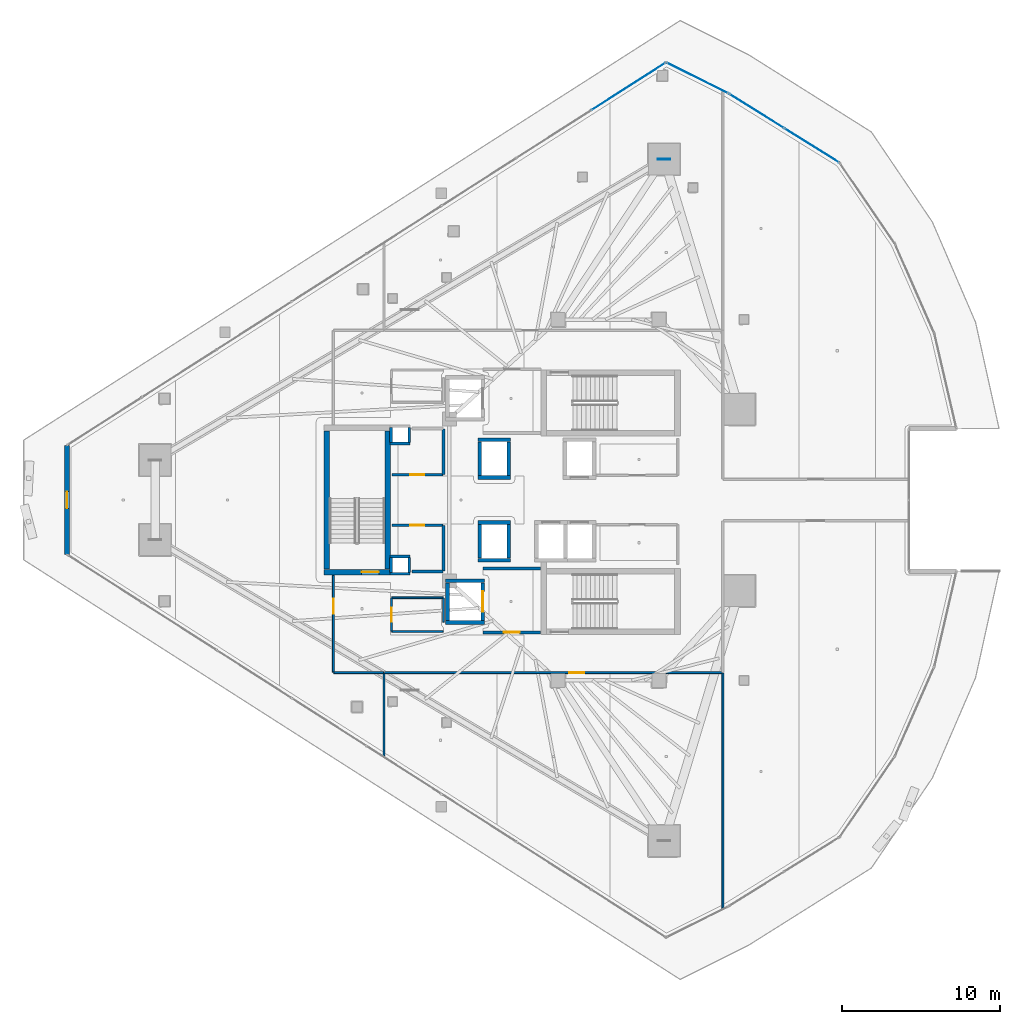
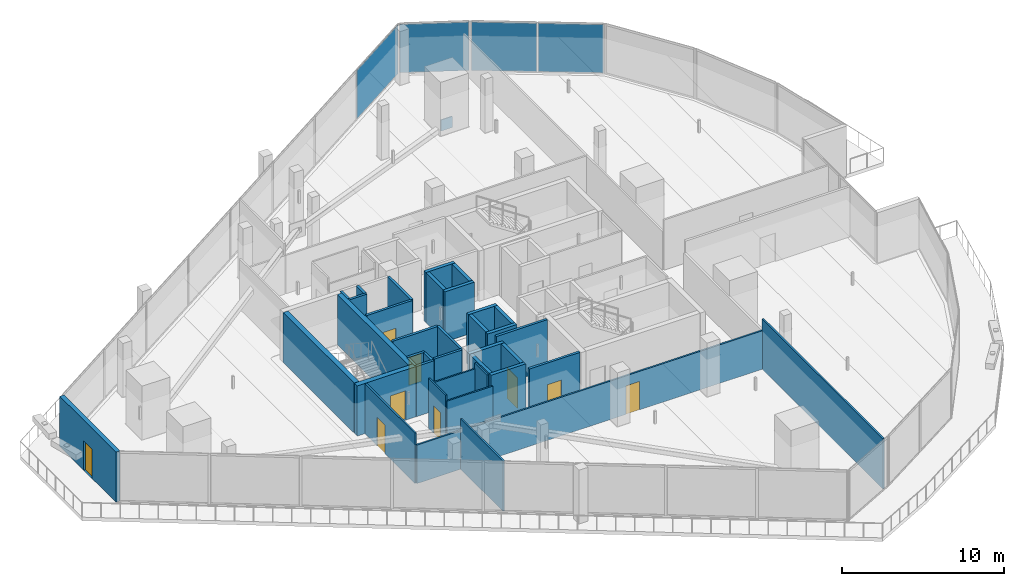
# One storey, part 27 of 39: 39 walls, 9 doors, 5 plates, 9 openings, 3 elements without a shape of their own.
"""IFC4 building model written with IfcOpenShell, lengths in metres."""

from ifc_helpers import new_model, si_unit, direction, frame, frame_2d, origin, origin_2d, place, context, subcontext, project, spatial, rectangle, extrude, material, layer, layer_set, type_object, element, fill, aggregate, save


model = new_model("IFC4")

# Units and contexts
model_context = context("Model", 3, precision=1e-05, world=origin(), true_north=direction((0.0, 1.0)))
body_context = subcontext(model_context, "Body", "Model", "MODEL_VIEW")
ifc_project = project(units=[si_unit("LENGTHUNIT", "METRE"), si_unit("AREAUNIT", "SQUARE_METRE"), si_unit("VOLUMEUNIT", "CUBIC_METRE"), si_unit("PLANEANGLEUNIT", "RADIAN"), si_unit("MASSUNIT", "GRAM", prefix="KILO")], contexts=[model_context])

# Site, building, storey
site_placement = place(None, origin())
site = spatial("IfcSite", under=ifc_project, at=site_placement, CompositionType="ELEMENT")
building_placement = place(site_placement, origin())
building = spatial("IfcBuilding", under=site, at=building_placement, Name="Qorvath Tower", CompositionType="ELEMENT")
storey_placement = place(building_placement, frame((0.0, 0.0, 201.0)))
storey = spatial("IfcBuildingStorey", under=building, at=storey_placement, Name="L46", CompositionType="ELEMENT", Elevation=201.0)

# Curtain wall, plates
ifc_material_1 = material(Name="Anodised aluminium and triple low-E glass", Category="aluminium")
ifc_layer_1 = layer(ifc_material_1, 0.179931640625)
ifc_layer_set_1 = layer_set([ifc_layer_1], Name="CW-SYS-3")
curtain_wall_type = type_object("IfcCurtainWallType", Name="CW-SYS-3", PredefinedType="NOTDEFINED", material=ifc_layer_set_1)
curtain_wall_1_placement = place(storey_placement, origin())
curtain_wall_1 = element("IfcCurtainWall", 1, at=curtain_wall_1_placement, inside=storey, type_object=curtain_wall_type, Name="Curtain Wall CW-3 CW-T-L46-14.1", PredefinedType="NOTDEFINED")
ifc_material_2 = material(Name="Low-E triple insulated glass", Category="glass")
ifc_layer_2 = layer(ifc_material_2, 0.031982421875)
ifc_layer_set_2 = layer_set([ifc_layer_2], Name="CWP-GLZ-32")
plate_type_1 = type_object("IfcPlateType", Name="CWP-GLZ-32", PredefinedType="CURTAIN_PANEL", material=ifc_layer_set_2)
plate_1_placement = place(storey_placement, frame((-7.506103515625, 22.500732421875, 0.06494140625), z_axis=(0.0, 0.0, 1.0), x_axis=(-0.848493264618, 0.529206179006, 0.0)))
plate_1 = element("IfcPlate", 2, at=plate_1_placement, type_object=plate_type_1, Name="CW-3 panel 1.1", PredefinedType="CURTAIN_PANEL", context=body_context, shape_type="SweptSolid", body=[
    extrude(rectangle(XDim=4.0537109375, YDim=0.031982421875, at=origin_2d()), origin(), (0.0, 0.0, 1.0), 3.64990234375),
])
plate_2_placement = place(storey_placement, frame((-11.000732421875, 24.680419921875, 0.06494140625), z_axis=(0.0, 0.0, 1.0), x_axis=(-0.848493264618, 0.529206179006, 0.0)))
plate_2 = element("IfcPlate", 3, at=plate_2_placement, type_object=plate_type_1, Name="CW-3 panel 2.1", PredefinedType="CURTAIN_PANEL", context=body_context, shape_type="SweptSolid", body=[
    extrude(rectangle(XDim=4.0537109375, YDim=0.031982421875, at=origin_2d()), origin(), (0.0, 0.0, 1.0), 3.64990234375),
])
aggregate(curtain_wall_1, [plate_1, plate_2])

# Curtain wall, plate
curtain_wall_2_placement = place(storey_placement, origin())
curtain_wall_2 = element("IfcCurtainWall", 4, at=curtain_wall_2_placement, inside=storey, type_object=curtain_wall_type, Name="Curtain Wall CW-3 CW-T-L46-15.1", PredefinedType="NOTDEFINED")
plate_3_placement = place(storey_placement, frame((-14.75927734375, 26.779296875, 0.06494140625), z_axis=(0.0, 0.0, 1.0), x_axis=(-0.894431699973, 0.44720457744, 0.0)))
plate_3 = element("IfcPlate", 5, at=plate_3_placement, type_object=plate_type_1, Name="CW-3 panel 1.1", PredefinedType="CURTAIN_PANEL", context=body_context, shape_type="SweptSolid", body=[
    extrude(rectangle(XDim=4.3056640625, YDim=0.031982421875, at=origin_2d()), origin(), (0.0, 0.0, 1.0), 3.64990234375),
])
aggregate(curtain_wall_2, [plate_3])

curtain_wall_3_placement = place(storey_placement, origin())
curtain_wall_3 = element("IfcCurtainWall", 6, at=curtain_wall_3_placement, inside=storey, type_object=curtain_wall_type, Name="Curtain Wall CW-3 CW-T-L46-16.1", PredefinedType="NOTDEFINED")
plate_4_placement = place(storey_placement, frame((-19.1328125, 26.243408203125, 0.06494140625), z_axis=(0.0, 0.0, 1.0), x_axis=(-0.842604020948, -0.538533623725, 0.0)))
plate_4 = element("IfcPlate", 7, at=plate_4_placement, type_object=plate_type_1, Name="CW-3 panel 1.1", PredefinedType="CURTAIN_PANEL", context=body_context, shape_type="SweptSolid", body=[
    extrude(rectangle(XDim=5.542724609375, YDim=0.031982421875, at=origin_2d()), origin(), (0.0, 0.0, 1.0), 3.64990234375),
])
aggregate(curtain_wall_3, [plate_4])

# Plate
ifc_material_3 = material(Name="Steel ASTM A572 Grade 50", Category="steel")
ifc_layer_3 = layer(ifc_material_3, 0.054931640625)
ifc_layer_set_3 = layer_set([ifc_layer_3], Name="PL-MBN1")
plate_type_2 = type_object("IfcPlateType", Name="PL-MBN1", PredefinedType="USERDEFINED", material=ifc_layer_set_3)
plate_5_placement = place(storey_placement, frame((-16.87158203125, 21.627197265625, -0.425048828125), z_axis=(0.0, 0.0, 1.0), x_axis=(1.0, 0.0, 0.0)))
element("IfcPlate", 8, at=plate_5_placement, inside=storey, type_object=plate_type_2, Name="Brace Strut End Gusset Plate NDBG-101", ObjectType="GUSSET", PredefinedType="USERDEFINED", context=body_context, shape_type="SweptSolid", body=[
    extrude(rectangle(XDim=0.800048828125, YDim=0.054931640625, at=origin_2d()), origin(), (0.0, 0.0, 1.0), 0.85009765625),
])

# Walls
ifc_material_4 = material(Name="Gypsum shaftliner on steel studs", Category="steel")
ifc_layer_4 = layer(ifc_material_4, 0.179931640625)
ifc_layer_set_4 = layer_set([ifc_layer_4], Name="FW-LOBBY")
wall_type_1 = type_object("IfcWallType", Name="FW-LOBBY", PredefinedType="PARTITIONING", material=ifc_layer_set_4)
wall_1_placement = place(storey_placement, frame((-32.989990234375, 3.594970703125, 0.0), z_axis=(0.0, 0.0, 1.0), x_axis=(-1.0, 0.0, 0.0)))
element("IfcWall", 9, at=wall_1_placement, inside=storey, type_object=wall_type_1, Name="MEP Riser Shaft Enclosure Wall N-L46-S", PredefinedType="PARTITIONING", context=body_context, shape_type="SweptSolid", body=[
    extrude(rectangle(XDim=1.27001953125, YDim=0.179931640625, at=frame_2d((0.635009765625, 0.0))), origin(), (0.0, 0.0, 1.0), 3.780029296875),
])
for number, where, z_axis, x_axis, name in (
    (10, (-34.205078125, 3.659912109375, 0.0), (0.0, 0.0, 1.0), (0.0, 1.0, 0.0), "MEP Riser Shaft Enclosure Wall N-L46-W"),
    (11, (-33.044921875, 4.610107421875, 0.0), (0.0, 0.0, 1.0), (0.0, -1.0, 0.0), "MEP Riser Shaft Enclosure Wall N-L46-E"),
):
    element("IfcWall", number, at=place(storey_placement, frame(where, z_axis=z_axis, x_axis=x_axis)), inside=storey, type_object=wall_type_1, Name=name, PredefinedType="PARTITIONING", context=body_context, shape_type="SweptSolid", body=[
        extrude(rectangle(XDim=0.9501953125, YDim=0.179931640625, at=frame_2d((0.47509765625, 0.0))), origin(), (0.0, 0.0, 1.0), 3.780029296875),
    ])
for number, where, z_axis, x_axis, name in (
    (12, (-32.989990234375, -4.675048828125, 0.0), (0.0, 0.0, 1.0), (-1.0, 0.0, 0.0), "MEP Riser Shaft Enclosure Wall S-L46-S"),
    (13, (-34.260009765625, -3.594970703125, 0.0), (0.0, 0.0, 1.0), (1.0, 0.0, 0.0), "MEP Riser Shaft Enclosure Wall S-L46-N"),
):
    element("IfcWall", number, at=place(storey_placement, frame(where, z_axis=z_axis, x_axis=x_axis)), inside=storey, type_object=wall_type_1, Name=name, PredefinedType="PARTITIONING", context=body_context, shape_type="SweptSolid", body=[
        extrude(rectangle(XDim=1.27001953125, YDim=0.179931640625, at=frame_2d((0.635009765625, 0.0))), origin(), (0.0, 0.0, 1.0), 3.780029296875),
    ])
for number, where, z_axis, x_axis, name in (
    (14, (-34.205078125, -4.610107421875, 0.0), (0.0, 0.0, 1.0), (0.0, 1.0, 0.0), "MEP Riser Shaft Enclosure Wall S-L46-W"),
    (15, (-33.044921875, -3.659912109375, 0.0), (0.0, 0.0, 1.0), (0.0, -1.0, 0.0), "MEP Riser Shaft Enclosure Wall S-L46-E"),
):
    element("IfcWall", number, at=place(storey_placement, frame(where, z_axis=z_axis, x_axis=x_axis)), inside=storey, type_object=wall_type_1, Name=name, PredefinedType="PARTITIONING", context=body_context, shape_type="SweptSolid", body=[
        extrude(rectangle(XDim=0.9501953125, YDim=0.179931640625, at=frame_2d((0.47509765625, 0.0))), origin(), (0.0, 0.0, 1.0), 3.780029296875),
    ])

# Wall, opening, door
wall_2_placement = place(storey_placement, frame((-28.35498046875, -8.39990234375, 0.0), z_axis=(0.0, 0.0, 1.0), x_axis=(1.0, 0.0, 0.0)))
wall_2 = element("IfcWall", 16, at=wall_2_placement, inside=storey, type_object=wall_type_1, Name="Interior Partition IW-T1-L46-003", PredefinedType="PARTITIONING", context=body_context, shape_type="SweptSolid", body=[
    extrude(rectangle(XDim=3.6220703125, YDim=0.179931640625, at=frame_2d((1.81103515625, 0.0))), origin(), (0.0, 0.0, 1.0), 3.780029296875),
])
opening_1_placement = place(wall_2_placement, frame((1.31103515625, 0.0, 0.0)))
opening_1 = element("IfcOpeningElement", 17, at=opening_1_placement, cuts=wall_2, Name="Opening D-T1-L46-13", PredefinedType="OPENING", context=body_context, shape_type="SweptSolid", body=[
    extrude(rectangle(XDim=1.0, YDim=2.14990234375, at=frame_2d((0.5, 1.074951171875))), frame((0.0, 0.10009765625, 0.0), z_axis=(0.0, -1.0, 0.0), x_axis=(1.0, 0.0, 0.0)), (0.0, 0.0, 1.0), 0.199951171875),
])
ifc_material_5 = material(Name="Painted galvanised hollow metal", Category="steel")
door_type_1 = type_object("IfcDoorType", Name="FD-60", OperationType="NOTDEFINED", PredefinedType="DOOR", material=ifc_material_5)
door_1_placement = place(opening_1_placement, origin())
door_1 = element("IfcDoor", 18, at=door_1_placement, inside=storey, type_object=door_type_1, Name="Lobby Fire Service Elevator South Door D-T1-L46-13", OperationType="SINGLE_SWING_RIGHT", OverallHeight=2.14990234375, OverallWidth=1.0, PredefinedType="DOOR", context=body_context, shape_type="SweptSolid", body=[
    extrude(rectangle(XDim=1.0, YDim=2.14990234375, at=frame_2d((0.5, 1.074951171875))), frame((0.0, 0.02490234375, 0.0), z_axis=(0.0, -1.0, 0.0), x_axis=(1.0, 0.0, 0.0)), (0.0, 0.0, 1.0), 0.050048828125),
])
fill(opening_1, door_1)

# Wall
wall_3_placement = place(storey_placement, frame((-24.73291015625, -4.35009765625, 0.0), z_axis=(0.0, 0.0, 1.0), x_axis=(-1.0, 0.0, 0.0)))
element("IfcWall", 19, at=wall_3_placement, inside=storey, type_object=wall_type_1, Name="Interior Partition IW-T1-L46-004", PredefinedType="PARTITIONING", context=body_context, shape_type="SweptSolid", body=[
    extrude(rectangle(XDim=3.6220703125, YDim=0.179931640625, at=frame_2d((1.81103515625, 0.0))), origin(), (0.0, 0.0, 1.0), 3.780029296875),
])

# Wall, opening, door
wall_4_placement = place(storey_placement, frame((-34.15478515625, 1.60009765625, 0.0), z_axis=(0.0, 0.0, 1.0), x_axis=(1.0, 0.0, 0.0)))
wall_4 = element("IfcWall", 20, at=wall_4_placement, inside=storey, type_object=wall_type_1, Name="Interior Partition IW-T1-L46-017", PredefinedType="PARTITIONING", context=body_context, shape_type="SweptSolid", body=[
    extrude(rectangle(XDim=3.25, YDim=0.179931640625, at=frame_2d((1.625, 0.0))), origin(), (0.0, 0.0, 1.0), 3.780029296875),
])
opening_2_placement = place(wall_4_placement, frame((1.18505859375, 0.0, 0.0)))
opening_2 = element("IfcOpeningElement", 21, at=opening_2_placement, cuts=wall_4, Name="Opening D-T1-L46-05", PredefinedType="OPENING", context=body_context, shape_type="SweptSolid", body=[
    extrude(rectangle(XDim=0.8798828125, YDim=2.10009765625, at=frame_2d((0.43994140625, 1.050048828125))), frame((0.0, 0.10009765625, 0.0), z_axis=(0.0, -1.0, 0.0), x_axis=(1.0, 0.0, 0.0)), (0.0, 0.0, 1.0), 0.199951171875),
])
ifc_material_6 = material(Name="Painted galvanised hollow metal", Category="steel")
door_type_2 = type_object("IfcDoorType", Name="FD-60N", OperationType="NOTDEFINED", PredefinedType="DOOR", material=ifc_material_6)
door_2_placement = place(opening_2_placement, origin())
door_2 = element("IfcDoor", 22, at=door_2_placement, inside=storey, type_object=door_type_2, Name="Core telecom and comms room L46 Door D-T1-L46-05", OperationType="SINGLE_SWING_RIGHT", OverallHeight=2.10009765625, OverallWidth=0.8798828125, PredefinedType="DOOR", context=body_context, shape_type="SweptSolid", body=[
    extrude(rectangle(XDim=0.8798828125, YDim=2.10009765625, at=frame_2d((0.43994140625, 1.050048828125))), frame((0.0, 0.02490234375, 0.0), z_axis=(0.0, -1.0, 0.0), x_axis=(1.0, 0.0, 0.0)), (0.0, 0.0, 1.0), 0.050048828125),
])
fill(opening_2, door_2)

# Walls
wall_5_placement = place(storey_placement, frame((-30.8798828125, 1.625, 0.0), z_axis=(0.0, 0.0, 1.0), x_axis=(0.0, 1.0, 0.0)))
element("IfcWall", 23, at=wall_5_placement, inside=storey, type_object=wall_type_1, Name="Interior Partition IW-T1-L46-018", PredefinedType="PARTITIONING", context=body_context, shape_type="SweptSolid", body=[
    extrude(rectangle(XDim=2.889892578125, YDim=0.179931640625, at=frame_2d((1.44482421875, 0.0))), origin(), (0.0, 0.0, 1.0), 3.780029296875),
])
wall_6_placement = place(storey_placement, frame((-32.8798828125, -4.5400390625, 0.0), z_axis=(0.0, 0.0, 1.0), x_axis=(1.0, 0.0, 0.0)))
element("IfcWall", 24, at=wall_6_placement, inside=storey, type_object=wall_type_1, Name="Interior Partition IW-T1-L46-020", PredefinedType="PARTITIONING", context=body_context, shape_type="SweptSolid", body=[
    extrude(rectangle(XDim=1.97509765625, YDim=0.179931640625, at=frame_2d((0.987548828125, 0.0))), origin(), (0.0, 0.0, 1.0), 3.780029296875),
])
wall_7_placement = place(storey_placement, frame((-30.8798828125, -4.514892578125, 0.0), z_axis=(0.0, 0.0, 1.0), x_axis=(0.0, 1.0, 0.0)))
element("IfcWall", 25, at=wall_7_placement, inside=storey, type_object=wall_type_1, Name="Interior Partition IW-T1-L46-021", PredefinedType="PARTITIONING", context=body_context, shape_type="SweptSolid", body=[
    extrude(rectangle(XDim=2.889892578125, YDim=0.179931640625, at=frame_2d((1.44482421875, 0.0))), origin(), (0.0, 0.0, 1.0), 3.780029296875),
])

# Wall, opening, door
wall_8_placement = place(storey_placement, frame((-30.90478515625, -1.60009765625, 0.0), z_axis=(0.0, 0.0, 1.0), x_axis=(-1.0, 0.0, 0.0)))
wall_8 = element("IfcWall", 26, at=wall_8_placement, inside=storey, type_object=wall_type_1, Name="Interior Partition IW-T1-L46-022", PredefinedType="PARTITIONING", context=body_context, shape_type="SweptSolid", body=[
    extrude(rectangle(XDim=3.25, YDim=0.179931640625, at=frame_2d((1.625, 0.0))), origin(), (0.0, 0.0, 1.0), 3.780029296875),
])
opening_3_placement = place(wall_8_placement, frame((1.18505859375, 0.0, 0.0)))
opening_3 = element("IfcOpeningElement", 27, at=opening_3_placement, cuts=wall_8, Name="Opening D-T1-L46-06", PredefinedType="OPENING", context=body_context, shape_type="SweptSolid", body=[
    extrude(rectangle(XDim=0.8798828125, YDim=2.10009765625, at=frame_2d((0.43994140625, 1.050048828125))), frame((0.0, 0.10009765625, 0.0), z_axis=(0.0, -1.0, 0.0), x_axis=(1.0, 0.0, 0.0)), (0.0, 0.0, 1.0), 0.199951171875),
])
door_3_placement = place(opening_3_placement, origin())
door_3 = element("IfcDoor", 28, at=door_3_placement, inside=storey, type_object=door_type_2, Name="Core housekeeping store L46 Door D-T1-L46-06", OperationType="SINGLE_SWING_LEFT", OverallHeight=2.10009765625, OverallWidth=0.8798828125, PredefinedType="DOOR", context=body_context, shape_type="SweptSolid", body=[
    extrude(rectangle(XDim=0.8798828125, YDim=2.10009765625, at=frame_2d((0.43994140625, 1.050048828125))), frame((0.0, 0.02490234375, 0.0), z_axis=(0.0, -1.0, 0.0), x_axis=(1.0, 0.0, 0.0)), (0.0, 0.0, 1.0), 0.050048828125),
])
fill(opening_3, door_3)

# Walls
ifc_material_7 = material(Name="Gypsum board on metal studs with mineral wool", Category="gypsum")
ifc_layer_5 = layer(ifc_material_7, 0.125)
ifc_layer_set_5 = layer_set([ifc_layer_5], Name="IW-PART-125")
wall_type_2 = type_object("IfcWallType", Name="IW-PART-125", PredefinedType="PARTITIONING", material=ifc_layer_set_5)
wall_9_placement = place(storey_placement, frame((-34.64990234375, -16.24609375, 0.0), z_axis=(0.0, 0.0, 1.0), x_axis=(0.0, 1.0, 0.0)))
element("IfcWall", 29, at=wall_9_placement, inside=storey, type_object=wall_type_2, Name="Interior Partition IW-T1-L46-023", PredefinedType="PARTITIONING", context=body_context, shape_type="SweptSolid", body=[
    extrude(rectangle(XDim=5.26318359375, YDim=0.125, at=frame_2d((2.631591796875, 0.0))), origin(), (0.0, 0.0, 1.0), 3.780029296875),
])
wall_10_placement = place(storey_placement, frame((-37.8330078125, -10.9580078125, 0.0), z_axis=(0.0, 0.0, 1.0), x_axis=(1.0, 0.0, 0.0)))
element("IfcWall", 30, at=wall_10_placement, inside=storey, type_object=wall_type_2, Name="Interior Partition IW-T1-L46-024", PredefinedType="PARTITIONING", context=body_context, shape_type="SweptSolid", body=[
    extrude(rectangle(XDim=3.158203125, YDim=0.125, at=frame_2d((1.5791015625, 0.0))), origin(), (0.0, 0.0, 1.0), 2.89990234375),
])

# Wall, opening, door
wall_11_placement = place(storey_placement, frame((-37.85791015625, -10.93310546875, 0.0), z_axis=(0.0, 0.0, 1.0), x_axis=(0.0, 1.0, 0.0)))
wall_11 = element("IfcWall", 31, at=wall_11_placement, inside=storey, type_object=wall_type_2, Name="Interior Partition IW-T1-L46-025", PredefinedType="PARTITIONING", context=body_context, shape_type="SweptSolid", body=[
    extrude(rectangle(XDim=6.14990234375, YDim=0.125, at=frame_2d((3.074951171875, 0.0))), origin(), (0.0, 0.0, 1.0), 3.780029296875),
])
opening_4_placement = place(wall_11_placement, frame((3.714111328125, 0.0, 0.0)))
opening_4 = element("IfcOpeningElement", 32, at=opening_4_placement, cuts=wall_11, Name="Opening D-T1-L46-07", PredefinedType="OPENING", context=body_context, shape_type="SweptSolid", body=[
    extrude(rectangle(XDim=0.949951171875, YDim=2.14990234375, at=frame_2d((0.47509765625, 1.074951171875))), frame((0.0, 0.072509765625, 0.0), z_axis=(0.0, -1.0, 0.0), x_axis=(1.0, 0.0, 0.0)), (0.0, 0.0, 1.0), 0.14501953125),
])
ifc_material_8 = material(Name="Solid-core American white oak veneer", Category="wood")
door_type_3 = type_object("IfcDoorType", Name="D-01", OperationType="NOTDEFINED", PredefinedType="DOOR", material=ifc_material_8)
door_4_placement = place(opening_4_placement, origin())
door_4 = element("IfcDoor", 33, at=door_4_placement, inside=storey, type_object=door_type_3, Name="L46-01 Open Workplace Studio Door D-T1-L46-07", OperationType="SINGLE_SWING_RIGHT", OverallHeight=2.14990234375, OverallWidth=0.949951171875, PredefinedType="DOOR", context=body_context, shape_type="SweptSolid", body=[
    extrude(rectangle(XDim=0.949951171875, YDim=2.14990234375, at=frame_2d((0.47509765625, 1.074951171875))), frame((0.0, 0.02490234375, 0.0), z_axis=(0.0, -1.0, 0.0), x_axis=(1.0, 0.0, 0.0)), (0.0, 0.0, 1.0), 0.050048828125),
])
fill(opening_4, door_4)

# Wall
wall_12_placement = place(storey_placement, frame((-13.14990234375, -25.89453125, 0.0), z_axis=(0.0, 0.0, 1.0), x_axis=(0.0, 1.0, 0.0)))
element("IfcWall", 34, at=wall_12_placement, inside=storey, type_object=wall_type_2, Name="Interior Partition IW-T1-L46-031", PredefinedType="PARTITIONING", context=body_context, shape_type="SweptSolid", body=[
    extrude(rectangle(XDim=14.91162109375, YDim=0.125, at=frame_2d((7.455810546875, 0.0))), origin(), (0.0, 0.0, 1.0), 3.780029296875),
])

# Wall, opening, door
wall_13_placement = place(storey_placement, frame((-13.1748046875, -10.9580078125, 0.0), z_axis=(0.0, 0.0, 1.0), x_axis=(-1.0, 0.0, 0.0)))
wall_13 = element("IfcWall", 35, at=wall_13_placement, inside=storey, type_object=wall_type_2, Name="Interior Partition IW-T1-L46-032", PredefinedType="PARTITIONING", context=body_context, shape_type="SweptSolid", body=[
    extrude(rectangle(XDim=21.4423828125, YDim=0.125, at=frame_2d((10.72119140625, 0.0))), origin(), (0.0, 0.0, 1.0), 2.89990234375),
])
opening_5_placement = place(wall_13_placement, frame((8.782470703125, 0.0, 0.0)))
opening_5 = element("IfcOpeningElement", 36, at=opening_5_placement, cuts=wall_13, Name="Opening D-T1-L46-09", PredefinedType="OPENING", context=body_context, shape_type="SweptSolid", body=[
    extrude(rectangle(XDim=0.949951171875, YDim=2.14990234375, at=frame_2d((0.47509765625, 1.074951171875))), frame((0.0, 0.072509765625, 0.0), z_axis=(0.0, -1.0, 0.0), x_axis=(1.0, 0.0, 0.0)), (0.0, 0.0, 1.0), 0.14501953125),
])
door_5_placement = place(opening_5_placement, origin())
door_5 = element("IfcDoor", 37, at=door_5_placement, inside=storey, type_object=door_type_3, Name="L46-03 Engineering Documentation Suite Door D-T1-L46-09", OperationType="SINGLE_SWING_RIGHT", OverallHeight=2.14990234375, OverallWidth=0.949951171875, PredefinedType="DOOR", context=body_context, shape_type="SweptSolid", body=[
    extrude(rectangle(XDim=0.949951171875, YDim=2.14990234375, at=frame_2d((0.47509765625, 1.074951171875))), frame((0.0, 0.02490234375, 0.0), z_axis=(0.0, -1.0, 0.0), x_axis=(1.0, 0.0, 0.0)), (0.0, 0.0, 1.0), 0.050048828125),
])
fill(opening_5, door_5)

ifc_material_9 = material(Name="Moisture-resistant cement board on metal studs", Category="gypsum")
ifc_layer_6 = layer(ifc_material_9, 0.110107421875)
ifc_layer_set_6 = layer_set([ifc_layer_6], Name="IW-WC-110")
wall_type_3 = type_object("IfcWallType", Name="IW-WC-110", PredefinedType="PARTITIONING", material=ifc_layer_set_6)
wall_14_placement = place(storey_placement, frame((-34.179931640625, -6.22509765625, 0.0), z_axis=(0.0, 0.0, 1.0), x_axis=(0.0, -1.0, 0.0)))
wall_14 = element("IfcWall", 38, at=wall_14_placement, inside=storey, type_object=wall_type_3, Name="Interior Partition IW-T1-L46-009", PredefinedType="PARTITIONING", context=body_context, shape_type="SweptSolid", body=[
    extrude(rectangle(XDim=2.10009765625, YDim=0.110107421875, at=frame_2d((1.050048828125, 0.0))), origin(), (0.0, 0.0, 1.0), 3.780029296875),
])
opening_6_placement = place(wall_14_placement, frame((0.610107421875, 0.0, 0.0)))
opening_6 = element("IfcOpeningElement", 39, at=opening_6_placement, cuts=wall_14, Name="Opening D-T1-L46-02", PredefinedType="OPENING", context=body_context, shape_type="SweptSolid", body=[
    extrude(rectangle(XDim=0.8798828125, YDim=2.10009765625, at=frame_2d((0.43994140625, 1.050048828125))), frame((0.0, 0.06494140625, 0.0), z_axis=(0.0, -1.0, 0.0), x_axis=(1.0, 0.0, 0.0)), (0.0, 0.0, 1.0), 0.130126953125),
])
ifc_material_10 = material(Name="Solid-core oak with acoustic drop seal", Category="wood")
door_type_4 = type_object("IfcDoorType", Name="D-02", OperationType="NOTDEFINED", PredefinedType="DOOR", material=ifc_material_10)
door_6_placement = place(opening_6_placement, origin())
door_6 = element("IfcDoor", 40, at=door_6_placement, inside=storey, type_object=door_type_4, Name="Accessible WC South L46 Door D-T1-L46-02", OperationType="SINGLE_SWING_LEFT", OverallHeight=2.10009765625, OverallWidth=0.8798828125, PredefinedType="DOOR", context=body_context, shape_type="SweptSolid", body=[
    extrude(rectangle(XDim=0.8798828125, YDim=2.10009765625, at=frame_2d((0.43994140625, 1.050048828125))), frame((0.0, 0.02490234375, 0.0), z_axis=(0.0, -1.0, 0.0), x_axis=(1.0, 0.0, 0.0)), (0.0, 0.0, 1.0), 0.050048828125),
])
fill(opening_6, door_6)

# Walls
wall_15_placement = place(storey_placement, frame((-34.15478515625, -8.35009765625, 0.0), z_axis=(0.0, 0.0, 1.0), x_axis=(1.0, 0.0, 0.0)))
element("IfcWall", 41, at=wall_15_placement, inside=storey, type_object=wall_type_3, Name="Interior Partition IW-T1-L46-010", PredefinedType="PARTITIONING", context=body_context, shape_type="SweptSolid", body=[
    extrude(rectangle(XDim=3.25, YDim=0.110107421875, at=frame_2d((1.625, 0.0))), origin(), (0.0, 0.0, 1.0), 3.34375),
])
wall_16_placement = place(storey_placement, frame((-30.8798828125, -7.742919921875, 0.0), z_axis=(0.0, 0.0, 1.0), x_axis=(0.0, 1.0, 0.0)))
element("IfcWall", 42, at=wall_16_placement, inside=storey, type_object=wall_type_3, Name="Interior Partition IW-T1-L46-011", PredefinedType="PARTITIONING", context=body_context, shape_type="SweptSolid", body=[
    extrude(rectangle(XDim=1.517822265625, YDim=0.110107421875, at=frame_2d((0.7587890625, 0.0))), origin(), (0.0, 0.0, 1.0), 3.780029296875),
])
wall_17_placement = place(storey_placement, frame((-30.90478515625, -6.199951171875, 0.0), z_axis=(0.0, 0.0, 1.0), x_axis=(-1.0, 0.0, 0.0)))
element("IfcWall", 43, at=wall_17_placement, inside=storey, type_object=wall_type_3, Name="Interior Partition IW-T1-L46-012", PredefinedType="PARTITIONING", context=body_context, shape_type="SweptSolid", body=[
    extrude(rectangle(XDim=3.25, YDim=0.110107421875, at=frame_2d((1.625, 0.0))), origin(), (0.0, 0.0, 1.0), 3.34375),
])
ifc_material_11 = material(Name="Concrete C60/75", Category="concrete")
ifc_layer_7 = layer(ifc_material_11, 0.260009765625)
ifc_layer_set_7 = layer_set([ifc_layer_7], Name="SW-SHAFT")
wall_type_4 = type_object("IfcWallType", Name="SW-SHAFT", PredefinedType="SHEAR", material=ifc_layer_set_7)
for number, where, z_axis, x_axis, name in (
    (44, (-28.260009765625, -7.77001953125, 0.0), (0.0, 0.0, 1.0), (-1.0, 0.0, 0.0), "Hoistway Wall FSAE-2 L46 S"),
    (45, (-30.739990234375, -5.1298828125, 0.0), (0.0, 0.0, 1.0), (1.0, 0.0, 0.0), "Hoistway Wall FSAE-2 L46 N"),
):
    element("IfcWall", number, at=place(storey_placement, frame(where, z_axis=z_axis, x_axis=x_axis)), inside=storey, type_object=wall_type_4, Name=name, PredefinedType="SHEAR", context=body_context, shape_type="SweptSolid", body=[
        extrude(rectangle(XDim=2.47998046875, YDim=0.239990234375, at=frame_2d((1.239990234375, 0.0))), origin(), (0.0, 0.0, 1.0), 3.780029296875),
    ])
wall_18_placement = place(storey_placement, frame((-30.6201171875, -7.637939453125, 0.0), z_axis=(0.0, 0.0, 1.0), x_axis=(0.0, 1.0, 0.0)))
element("IfcWall", 46, at=wall_18_placement, inside=storey, type_object=wall_type_4, Name="Hoistway Wall FSAE-2 L46 W", PredefinedType="SHEAR", context=body_context, shape_type="SweptSolid", body=[
    extrude(rectangle(XDim=2.3759765625, YDim=0.239990234375, at=frame_2d((1.18798828125, 0.0))), origin(), (0.0, 0.0, 1.0), 3.780029296875),
])

# Wall, opening, door
wall_19_placement = place(storey_placement, frame((-28.3798828125, -5.261962890625, 0.0), z_axis=(0.0, 0.0, 1.0), x_axis=(0.0, -1.0, 0.0)))
wall_19 = element("IfcWall", 47, at=wall_19_placement, inside=storey, type_object=wall_type_4, Name="Hoistway Wall FSAE-2 L46 E", PredefinedType="SHEAR", context=body_context, shape_type="SweptSolid", body=[
    extrude(rectangle(XDim=2.3759765625, YDim=0.239990234375, at=frame_2d((1.18798828125, 0.0))), origin(), (0.0, 0.0, 1.0), 3.780029296875),
])
opening_7_placement = place(wall_19_placement, frame((0.5380859375, 0.0, 0.0)))
opening_7 = element("IfcOpeningElement", 48, at=opening_7_placement, cuts=wall_19, Name="Opening LD-FSAE-2-L46", PredefinedType="OPENING", context=body_context, shape_type="SweptSolid", body=[
    extrude(rectangle(XDim=1.300048828125, YDim=2.300048828125, at=frame_2d((0.64990234375, 1.14990234375))), frame((0.0, 0.1298828125, 0.0), z_axis=(0.0, -1.0, 0.0), x_axis=(1.0, 0.0, 0.0)), (0.0, 0.0, 1.0), 0.260009765625),
])
ifc_material_12 = material(Name="Brushed stainless steel AISI 316", Category="steel")
door_type_5 = type_object("IfcDoorType", Name="LD-02", OperationType="NOTDEFINED", PredefinedType="DOOR", material=ifc_material_12)
door_7_placement = place(opening_7_placement, origin())
door_7 = element("IfcDoor", 49, at=door_7_placement, inside=storey, type_object=door_type_5, Name="Elevator Landing Sliding Door LD-FSAE-2-L46", OperationType="DOUBLE_DOOR_SLIDING", OverallHeight=2.300048828125, OverallWidth=1.300048828125, PredefinedType="DOOR", context=body_context, shape_type="SweptSolid", body=[
    extrude(rectangle(XDim=1.300048828125, YDim=2.300048828125, at=frame_2d((0.64990234375, 1.14990234375))), frame((0.0, 0.02490234375, 0.0), z_axis=(0.0, -1.0, 0.0), x_axis=(1.0, 0.0, 0.0)), (0.0, 0.0, 1.0), 0.050048828125),
])
fill(opening_7, door_7)

# Walls
for number, where, z_axis, x_axis, name in (
    (50, (-26.610107421875, 1.429931640625, 0.0), (0.0, 0.0, 1.0), (-1.0, 0.0, 0.0), "Hoistway Wall PS-1 L46 S"),
    (51, (-28.68994140625, 3.820068359375, 0.0), (0.0, 0.0, 1.0), (1.0, 0.0, 0.0), "Hoistway Wall PS-1 L46 N"),
):
    element("IfcWall", number, at=place(storey_placement, frame(where, z_axis=z_axis, x_axis=x_axis)), inside=storey, type_object=wall_type_4, Name=name, PredefinedType="SHEAR", context=body_context, shape_type="SweptSolid", body=[
        extrude(rectangle(XDim=2.079833984375, YDim=0.239990234375, at=frame_2d((1.0400390625, 0.0))), origin(), (0.0, 0.0, 1.0), 3.780029296875),
    ])
for number, where, z_axis, x_axis, name in (
    (52, (-28.570068359375, 1.56201171875, 0.0), (0.0, 0.0, 1.0), (0.0, 1.0, 0.0), "Hoistway Wall PS-1 L46 W"),
    (53, (-26.72998046875, 3.68798828125, 0.0), (0.0, 0.0, 1.0), (0.0, -1.0, 0.0), "Hoistway Wall PS-1 L46 E"),
):
    element("IfcWall", number, at=place(storey_placement, frame(where, z_axis=z_axis, x_axis=x_axis)), inside=storey, type_object=wall_type_4, Name=name, PredefinedType="SHEAR", context=body_context, shape_type="SweptSolid", body=[
        extrude(rectangle(XDim=2.1259765625, YDim=0.239990234375, at=frame_2d((1.06298828125, 0.0))), origin(), (0.0, 0.0, 1.0), 3.780029296875),
    ])
for number, where, z_axis, x_axis, name in (
    (54, (-26.610107421875, -3.820068359375, 0.0), (0.0, 0.0, 1.0), (-1.0, 0.0, 0.0), "Hoistway Wall PS-2 L46 S"),
    (55, (-28.68994140625, -1.429931640625, 0.0), (0.0, 0.0, 1.0), (1.0, 0.0, 0.0), "Hoistway Wall PS-2 L46 N"),
):
    element("IfcWall", number, at=place(storey_placement, frame(where, z_axis=z_axis, x_axis=x_axis)), inside=storey, type_object=wall_type_4, Name=name, PredefinedType="SHEAR", context=body_context, shape_type="SweptSolid", body=[
        extrude(rectangle(XDim=2.079833984375, YDim=0.239990234375, at=frame_2d((1.0400390625, 0.0))), origin(), (0.0, 0.0, 1.0), 3.780029296875),
    ])
for number, where, z_axis, x_axis, name in (
    (56, (-28.570068359375, -3.68798828125, 0.0), (0.0, 0.0, 1.0), (0.0, 1.0, 0.0), "Hoistway Wall PS-2 L46 W"),
    (57, (-26.72998046875, -1.56201171875, 0.0), (0.0, 0.0, 1.0), (0.0, -1.0, 0.0), "Hoistway Wall PS-2 L46 E"),
):
    element("IfcWall", number, at=place(storey_placement, frame(where, z_axis=z_axis, x_axis=x_axis)), inside=storey, type_object=wall_type_4, Name=name, PredefinedType="SHEAR", context=body_context, shape_type="SweptSolid", body=[
        extrude(rectangle(XDim=2.1259765625, YDim=0.239990234375, at=frame_2d((1.06298828125, 0.0))), origin(), (0.0, 0.0, 1.0), 3.780029296875),
    ])

# Wall, opening, door
ifc_material_13 = material(Name="Concrete C60/75", Category="concrete")
ifc_layer_8 = layer(ifc_material_13, 0.35009765625)
ifc_layer_set_8 = layer_set([ifc_layer_8], Name="SW-STAIR")
wall_type_5 = type_object("IfcWallType", Name="SW-STAIR", PredefinedType="SHEAR", material=ifc_layer_set_8)
wall_20_placement = place(storey_placement, frame((-38.4599609375, -4.574951171875, 0.0), z_axis=(0.0, 0.0, 1.0), x_axis=(1.0, 0.0, 0.0)))
wall_20 = element("IfcWall", 58, at=wall_20_placement, inside=storey, type_object=wall_type_5, Name="Stair TS3 Shear Wall L46 NEAR", PredefinedType="SHEAR", context=body_context, shape_type="SweptSolid", body=[
    extrude(rectangle(XDim=4.2099609375, YDim=0.35009765625, at=frame_2d((2.10498046875, 0.0))), origin(), (0.0, 0.0, 1.0), 3.780029296875),
])
opening_8_placement = place(wall_20_placement, frame((2.389892578125, 0.0, 0.0)))
opening_8 = element("IfcOpeningElement", 59, at=opening_8_placement, cuts=wall_20, Name="Opening D-TS3-L46", PredefinedType="OPENING", context=body_context, shape_type="SweptSolid", body=[
    extrude(rectangle(XDim=1.10009765625, YDim=2.199951171875, at=frame_2d((0.550048828125, 1.10009765625))), frame((0.0, 0.18505859375, 0.0), z_axis=(0.0, -1.0, 0.0), x_axis=(1.0, 0.0, 0.0)), (0.0, 0.0, 1.0), 0.3701171875),
])
ifc_material_14 = material(Name="Painted galvanised hollow metal", Category="steel")
door_type_6 = type_object("IfcDoorType", Name="FD-90", OperationType="NOTDEFINED", PredefinedType="DOOR", material=ifc_material_14)
door_8_placement = place(opening_8_placement, origin())
door_8 = element("IfcDoor", 60, at=door_8_placement, inside=storey, type_object=door_type_6, Name="Stair TS3 Fire Door L46", OperationType="SINGLE_SWING_LEFT", OverallHeight=2.199951171875, OverallWidth=1.10009765625, PredefinedType="DOOR", context=body_context, shape_type="SweptSolid", body=[
    extrude(rectangle(XDim=1.10009765625, YDim=2.199951171875, at=frame_2d((0.550048828125, 1.10009765625))), frame((0.0, 0.02490234375, 0.0), z_axis=(0.0, -1.0, 0.0), x_axis=(1.0, 0.0, 0.0)), (0.0, 0.0, 1.0), 0.050048828125),
])
fill(opening_8, door_8)

# Walls
for number, where, z_axis, x_axis, name in (
    (61, (-34.425048828125, -4.385009765625, 0.0), (0.0, 0.0, 1.0), (0.0, 1.0, 0.0), "Stair TS3 Shear Wall L46 LEFT"),
    (62, (-38.284912109375, 4.385009765625, 0.0), (0.0, 0.0, 1.0), (0.0, -1.0, 0.0), "Stair TS3 Shear Wall L46 RIGHT"),
):
    element("IfcWall", number, at=place(storey_placement, frame(where, z_axis=z_axis, x_axis=x_axis)), inside=storey, type_object=wall_type_5, Name=name, PredefinedType="SHEAR", context=body_context, shape_type="SweptSolid", body=[
        extrude(rectangle(XDim=8.77001953125, YDim=0.35009765625, at=frame_2d((4.385009765625, 0.0))), origin(), (0.0, 0.0, 1.0), 3.780029296875),
    ])

# Wall, opening, door
ifc_material_15 = material(Name="Precast concrete C45/55", Category="concrete")
ifc_layer_9 = layer(ifc_material_15, 0.300048828125)
ifc_layer_set_9 = layer_set([ifc_layer_9], Name="WL-EW-LOG-300")
wall_type_6 = type_object("IfcWallType", Name="WL-EW-LOG-300", PredefinedType="SOLIDWALL", material=ifc_layer_set_9)
wall_21_placement = place(storey_placement, frame((-54.7626953125, -3.471435546875, 0.0), z_axis=(0.0, 0.0, 1.0), x_axis=(0.0, 1.0, 0.0)))
wall_21 = element("IfcWall", 63, at=wall_21_placement, inside=storey, type_object=wall_type_6, Name="Tower Precast Loggia Wall L46-1.1", PredefinedType="SOLIDWALL", context=body_context, shape_type="SweptSolid", body=[
    extrude(rectangle(XDim=6.94287109375, YDim=0.300048828125, at=frame_2d((3.471435546875, 0.0))), origin(), (0.0, 0.0, 1.0), 3.780029296875),
])
opening_9_placement = place(wall_21_placement, frame((2.9462890625, 0.0, 0.0)))
opening_9 = element("IfcOpeningElement", 64, at=opening_9_placement, cuts=wall_21, Name="Opening ED-L46-01", PredefinedType="OPENING", context=body_context, shape_type="SweptSolid", body=[
    extrude(rectangle(XDim=1.050048828125, YDim=2.199951171875, at=frame_2d((0.52490234375, 1.10009765625))), frame((0.0, 0.16015625, 0.0), z_axis=(0.0, -1.0, 0.0), x_axis=(1.0, 0.0, 0.0)), (0.0, 0.0, 1.0), 0.320068359375),
])
ifc_material_16 = material(Name="Thermally broken aluminium glazed door", Category="aluminium")
door_type_7 = type_object("IfcDoorType", Name="ED-LOG", OperationType="NOTDEFINED", PredefinedType="DOOR", material=ifc_material_16)
door_9_placement = place(opening_9_placement, origin())
door_9 = element("IfcDoor", 65, at=door_9_placement, inside=storey, type_object=door_type_7, Name="L46 Recessed Loggia Access Door 1", OperationType="SINGLE_SWING_LEFT", OverallHeight=2.199951171875, OverallWidth=1.050048828125, PredefinedType="DOOR", context=body_context, shape_type="SweptSolid", body=[
    extrude(rectangle(XDim=1.050048828125, YDim=2.199951171875, at=frame_2d((0.52490234375, 1.10009765625))), frame((0.0, 0.02490234375, 0.0), z_axis=(0.0, -1.0, 0.0), x_axis=(1.0, 0.0, 0.0)), (0.0, 0.0, 1.0), 0.050048828125),
])
fill(opening_9, door_9)

save(model, "model.ifc")
